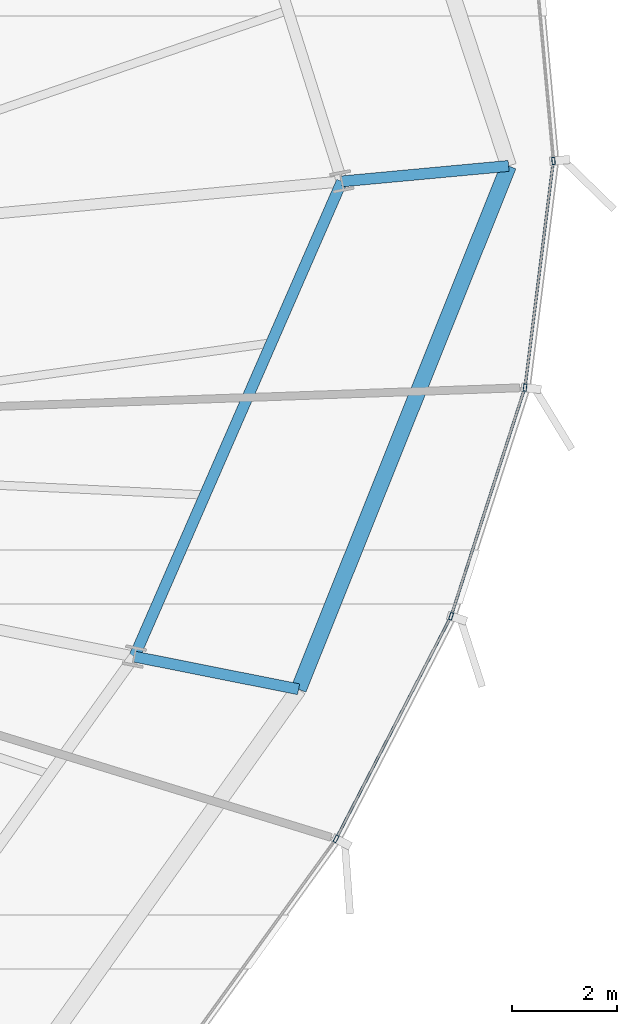
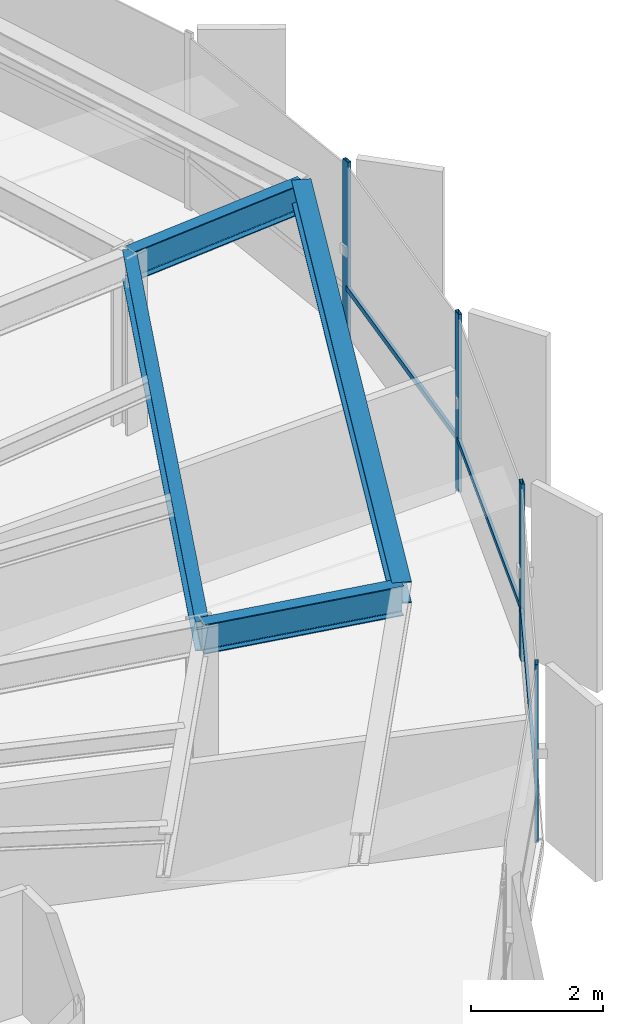
# One storey, part 16 of 35: 7 members, 4 beams, 1 element without a shape of its own.
"""IFC4 building model written with IfcOpenShell, lengths in metres."""

from ifc_helpers import new_model, si_unit, direction, frame, origin, origin_2d, place, context, subcontext, project, spatial, hollow_rectangle, i_section, extrude, source, transform, mapped, material, layer, layer_set, material_profile, profile_set, type_object, element, aggregate, save


model = new_model("IFC4")

# Units and contexts
model_context = context("Model", 3, precision=1e-05, world=origin(), true_north=direction((0.0, 1.0)))
body_context = subcontext(model_context, "Body", "Model", "MODEL_VIEW")
ifc_project = project(units=[si_unit("LENGTHUNIT", "METRE"), si_unit("AREAUNIT", "SQUARE_METRE"), si_unit("VOLUMEUNIT", "CUBIC_METRE"), si_unit("PLANEANGLEUNIT", "RADIAN"), si_unit("MASSUNIT", "GRAM", prefix="KILO"), si_unit("THERMODYNAMICTEMPERATUREUNIT", "KELVIN")], contexts=[model_context])

# Site, building, storey
site_placement = place(None, origin())
site = spatial("IfcSite", under=ifc_project, at=site_placement, CompositionType="ELEMENT")
building_placement = place(site_placement, origin())
building = spatial("IfcBuilding", under=site, at=building_placement, Name="Kethvar Cultural Tower", CompositionType="ELEMENT")
storey_placement = place(building_placement, frame((0.0, 0.0, 139.449951171875)))
storey = spatial("IfcBuildingStorey", under=building, at=storey_placement, Name="L35", CompositionType="ELEMENT", Elevation=139.449951171875)

# Beams
ifc_material_1 = material(Name="Steel S355J2", Category="steel")
ifc_material_profile_1 = material_profile(ifc_material_1, i_section(OverallWidth=0.2099609375, OverallDepth=0.550048828125, WebThickness=0.010986328125, FlangeThickness=0.01708984375, FilletRadius=0.02392578125, at=origin_2d()), Name="Steel S355J2 — IPE550")
ifc_profile_set_1 = profile_set([ifc_material_profile_1], Name="Steel S355J2 — IPE550")
beam_type_1 = type_object("IfcBeamType", Name="BM-IPE550", PredefinedType="BEAM", material=ifc_profile_set_1)
shared_shape_1 = source(origin(), body_context, "Body", "SweptSolid", [
    extrude(i_section(OverallWidth=0.2099609375, OverallDepth=0.550048828125, WebThickness=0.010986328125, FlangeThickness=0.01708984375, FilletRadius=0.02392578125, at=origin_2d()), origin(), (0.0, 0.0, 1.0), 3.199951171875),
])
for number, where, z_axis, x_axis, name in (
    (1, (71.6025390625, 32.7333984375, 3.02294921875), (0.995729641608, 0.092317283453, 0.0), (-0.092317283453, 0.995729641608, 0.0), "L35 Perimeter Cantilever Beam RC-01"),
    (2, (67.638671875, 23.65478515625, 3.02294921875), (0.980785550224, -0.195088965533, 0.0), (0.195088965533, 0.980785550224, 0.0), "L35 Perimeter Cantilever Beam RC-16"),
):
    element("IfcBeam", number, at=place(storey_placement, frame(where, z_axis=z_axis, x_axis=x_axis)), inside=storey, type_object=beam_type_1, Name=name, PredefinedType="BEAM", context=body_context, shape_type="MappedRepresentation", body=[
        mapped(shared_shape_1, transform((0.0, 0.0, 0.0), scale=1.0)),
    ])
shared_shape_2 = source(origin(), body_context, "Body", "SweptSolid", [
    extrude(i_section(OverallWidth=0.2099609375, OverallDepth=0.550048828125, WebThickness=0.010986328125, FlangeThickness=0.01708984375, FilletRadius=0.02392578125, at=origin_2d()), origin(), (0.0, 0.0, 1.0), 9.90625),
])
beam_1_placement = place(storey_placement, frame((67.638671875, 23.65478515625, 3.02294921875), z_axis=(0.400138679026, 0.916454602011, 0.0), x_axis=(-0.916454602011, 0.400138679026, 0.0)))
element("IfcBeam", 3, at=beam_1_placement, inside=storey, type_object=beam_type_1, Name="L35 Column Ring Tie Beam CR-16", PredefinedType="BEAM", context=body_context, shape_type="MappedRepresentation", body=[
    mapped(shared_shape_2, transform((0.0, 0.0, 0.0), scale=1.0)),
])
ifc_material_profile_2 = material_profile(ifc_material_1, i_section(OverallWidth=0.300048828125, OverallDepth=0.39990234375, WebThickness=0.013427734375, FlangeThickness=0.02392578125, FilletRadius=0.027099609375, at=origin_2d()), Name="Steel S355J2 — HEB400")
ifc_profile_set_2 = profile_set([ifc_material_profile_2], Name="Steel S355J2 — HEB400")
beam_type_2 = type_object("IfcBeamType", Name="BM-SP400", PredefinedType="SPANDREL", material=ifc_profile_set_2)
shared_shape_3 = source(origin(), body_context, "Body", "SweptSolid", [
    extrude(i_section(OverallWidth=0.300048828125, OverallDepth=0.39990234375, WebThickness=0.013427734375, FlangeThickness=0.02392578125, FilletRadius=0.027099609375, at=origin_2d()), origin(), (0.0, 0.0, 1.0), 10.773193359375),
])
beam_2_placement = place(storey_placement, frame((70.777099609375, 23.030517578125, 3.09814453125), z_axis=(0.372382905959, 0.928079183771, 0.0), x_axis=(-0.928079183771, 0.372382905959, 0.0)))
element("IfcBeam", 4, at=beam_2_placement, inside=storey, type_object=beam_type_2, Name="L35 Perimeter Spandrel Beam SP-16", PredefinedType="SPANDREL", context=body_context, shape_type="MappedRepresentation", body=[
    mapped(shared_shape_3, transform((0.0, 0.0, 0.0), scale=1.0)),
])

# Curtain wall, members
ifc_material_2 = material(Name="Aluminium 6063-T6", Category="aluminium")
ifc_layer = layer(ifc_material_2, 0.179931640625, Name="Aluminium 6063-T6", Category="aluminium")
ifc_layer_set = layer_set([ifc_layer], Name="Aluminium 6063-T6 (180 mm)")
curtain_wall_type = type_object("IfcCurtainWallType", Name="CW-SYS-04-Z34", PredefinedType="NOTDEFINED", material=ifc_layer_set)
curtain_wall_placement = place(storey_placement, origin())
curtain_wall = element("IfcCurtainWall", 5, at=curtain_wall_placement, inside=storey, type_object=curtain_wall_type, Name="L35 Curtain Wall Run 06", PredefinedType="NOTDEFINED")
ifc_material_profile_3 = material_profile(ifc_material_2, hollow_rectangle(XDim=0.06005859375, YDim=0.139892578125, WallThickness=0.0048828125, at=origin_2d()), Name="Aluminium 6063-T6 — RHS140x60x5")
ifc_profile_set_3 = profile_set([ifc_material_profile_3], Name="Aluminium 6063-T6 — RHS140x60x5")
member_type_1 = type_object("IfcMemberType", Name="CW-SYS-04-Z34-MUL", PredefinedType="MULLION", material=ifc_profile_set_3)
shared_shape_4 = source(origin(), body_context, "Body", "SweptSolid", [
    extrude(hollow_rectangle(XDim=0.06005859375, YDim=0.139892578125, WallThickness=0.0048828125, at=origin_2d()), origin(), (0.0, 0.0, 1.0), 3.300048828125),
])
member_1_placement = place(storey_placement, frame((71.49169921875, 20.172119140625, 0.0), z_axis=(0.0, 0.0, 1.0), x_axis=(-0.888505136901, 0.458866670941, 0.0)))
member_1 = element("IfcMember", 6, at=member_1_placement, type_object=member_type_1, Name="CW-L35-R06 Mullion 2", PredefinedType="MULLION", context=body_context, shape_type="MappedRepresentation", body=[
    mapped(shared_shape_4, transform((0.0, 0.0, 0.0), scale=1.0)),
])
member_2_placement = place(storey_placement, frame((73.689697265625, 24.425048828125, 0.0), z_axis=(0.0, 0.0, 1.0), x_axis=(-0.951669476861, 0.30712409025, 0.0)))
member_2 = element("IfcMember", 7, at=member_2_placement, type_object=member_type_1, Name="CW-L35-R06 Mullion 3", PredefinedType="MULLION", context=body_context, shape_type="MappedRepresentation", body=[
    mapped(shared_shape_4, transform((0.0, 0.0, 0.0), scale=1.0)),
])
member_3_placement = place(storey_placement, frame((75.101806640625, 28.793701171875, 0.0), z_axis=(0.0, 0.0, 1.0), x_axis=(-0.992284405174, 0.123982495731, 0.0)))
member_3 = element("IfcMember", 8, at=member_3_placement, type_object=member_type_1, Name="CW-L35-R06 Mullion 4", PredefinedType="MULLION", context=body_context, shape_type="MappedRepresentation", body=[
    mapped(shared_shape_4, transform((0.0, 0.0, 0.0), scale=1.0)),
])
member_4_placement = place(storey_placement, frame((75.6455078125, 33.12451171875, 0.0), z_axis=(0.0, 0.0, 1.0), x_axis=(-0.995836806996, -0.091154011602, 0.0)))
member_4 = element("IfcMember", 9, at=member_4_placement, type_object=member_type_1, Name="CW-L35-R06 Mullion 5", PredefinedType="MULLION", context=body_context, shape_type="MappedRepresentation", body=[
    mapped(shared_shape_4, transform((0.0, 0.0, 0.0), scale=1.0)),
])
ifc_material_profile_4 = material_profile(ifc_material_2, hollow_rectangle(XDim=0.050048828125, YDim=0.10009765625, WallThickness=0.00390625, at=origin_2d()), Name="Aluminium 6063-T6 — RHS100x50x4")
ifc_profile_set_4 = profile_set([ifc_material_profile_4], Name="Aluminium 6063-T6 — RHS100x50x4")
member_type_2 = type_object("IfcMemberType", Name="CW-SYS-04-Z34-TRN", PredefinedType="USERDEFINED", material=ifc_profile_set_4)
shared_shape_5 = source(origin(), body_context, "Body", "SweptSolid", [
    extrude(hollow_rectangle(XDim=0.050048828125, YDim=0.10009765625, WallThickness=0.00390625, at=origin_2d()), origin(), (0.0, 0.0, 1.0), 4.302001953125),
])
member_5_placement = place(storey_placement, frame((75.107177734375, 28.83642578125, 0.949951171875), z_axis=(0.123943932654, 0.992289222736, 0.0), x_axis=(-0.992289222736, 0.123943932654, 0.0)))
member_5 = element("IfcMember", 10, at=member_5_placement, type_object=member_type_2, Name="CW-L35-R06 Transom 4", ObjectType="TRANSOM", PredefinedType="USERDEFINED", context=body_context, shape_type="MappedRepresentation", body=[
    mapped(shared_shape_5, transform((0.0, 0.0, 0.0), scale=1.0)),
])
shared_shape_6 = source(origin(), body_context, "Body", "SweptSolid", [
    extrude(hollow_rectangle(XDim=0.050048828125, YDim=0.10009765625, WallThickness=0.00390625, at=origin_2d()), origin(), (0.0, 0.0, 1.0), 4.718994140625),
])
member_6_placement = place(storey_placement, frame((71.511474609375, 20.21044921875, 0.949951171875), z_axis=(0.45888801578, 0.888494113078, 0.0), x_axis=(-0.888494113078, 0.45888801578, 0.0)))
member_6 = element("IfcMember", 11, at=member_6_placement, type_object=member_type_2, Name="CW-L35-R06 Transom 2", ObjectType="TRANSOM", PredefinedType="USERDEFINED", context=body_context, shape_type="MappedRepresentation", body=[
    mapped(shared_shape_6, transform((0.0, 0.0, 0.0), scale=1.0)),
])
shared_shape_7 = source(origin(), body_context, "Body", "SweptSolid", [
    extrude(hollow_rectangle(XDim=0.050048828125, YDim=0.10009765625, WallThickness=0.00390625, at=origin_2d()), origin(), (0.0, 0.0, 1.0), 4.525390625),
])
member_7_placement = place(storey_placement, frame((73.703125, 24.466064453125, 0.949951171875), z_axis=(0.307133607992, 0.951666405229, 0.0), x_axis=(-0.951666405229, 0.307133607992, 0.0)))
member_7 = element("IfcMember", 12, at=member_7_placement, type_object=member_type_2, Name="CW-L35-R06 Transom 3", ObjectType="TRANSOM", PredefinedType="USERDEFINED", context=body_context, shape_type="MappedRepresentation", body=[
    mapped(shared_shape_7, transform((0.0, 0.0, 0.0), scale=1.0)),
])
aggregate(curtain_wall, [member_1, member_2, member_3, member_4, member_6, member_7, member_5])

save(model, "model.ifc")
